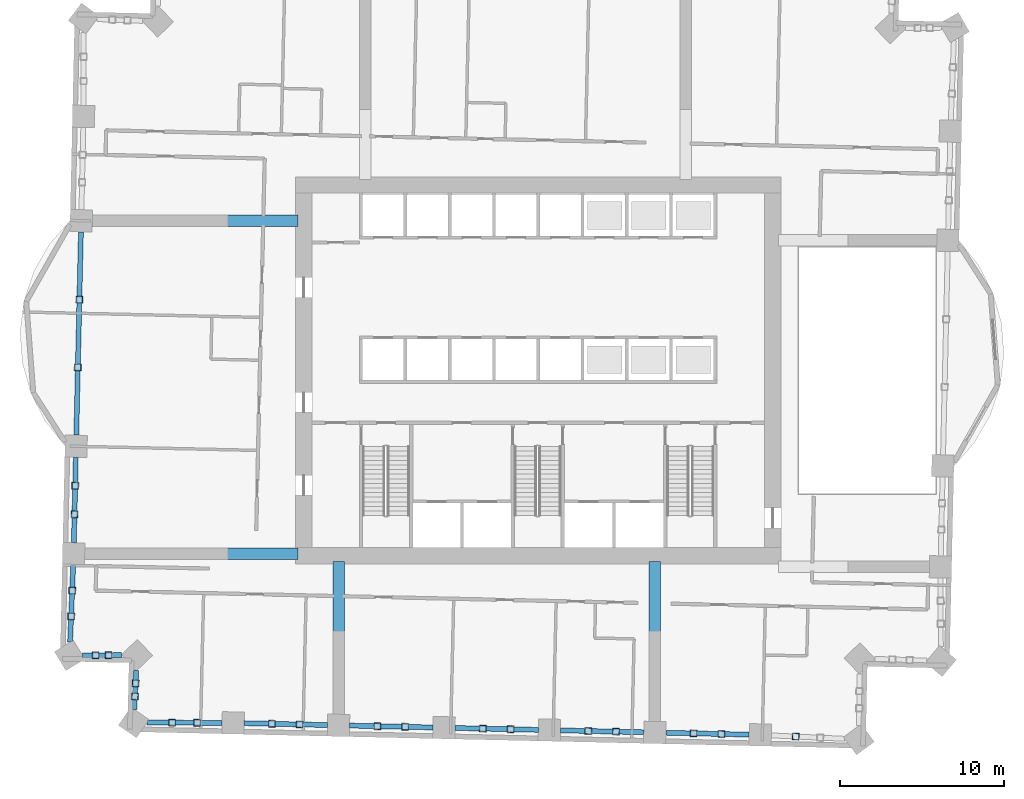
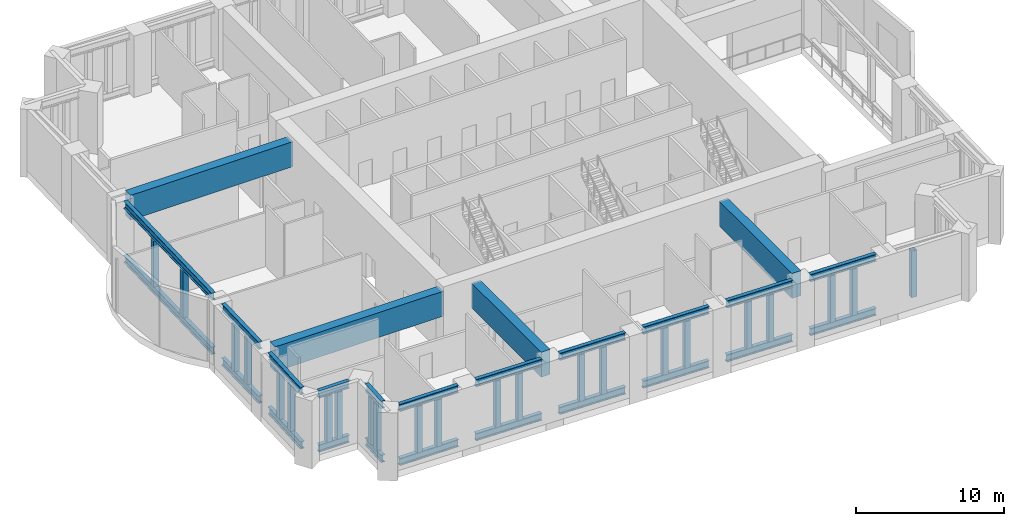
# One storey, part 2 of 13: 45 members, 4 beams.
"""IFC4 building model written with IfcOpenShell, lengths in metres."""

from ifc_helpers import new_model, si_unit, direction, frame, origin, origin_2d, place, context, subcontext, project, spatial, rectangle, hollow_rectangle, i_section, extrude, material, material_profile, profile_set, type_object, element, save


model = new_model("IFC4")

# Units and contexts
model_context = context("Model", 3, precision=1e-05, world=origin(), true_north=direction((0.0, 1.0)))
body_context = subcontext(model_context, "Body", "Model", "MODEL_VIEW")
ifc_project = project(units=[si_unit("LENGTHUNIT", "METRE"), si_unit("AREAUNIT", "SQUARE_METRE"), si_unit("VOLUMEUNIT", "CUBIC_METRE"), si_unit("PLANEANGLEUNIT", "RADIAN"), si_unit("MASSUNIT", "GRAM", prefix="KILO")], contexts=[model_context])

# Site, building, storey
site_placement = place(None, origin())
site = spatial("IfcSite", under=ifc_project, at=site_placement, CompositionType="ELEMENT")
building_placement = place(site_placement, origin())
building = spatial("IfcBuilding", under=site, at=building_placement, Name="Mangrove Gate Tower", CompositionType="ELEMENT")
storey_placement = place(building_placement, frame((0.0, 0.0, 119.89990234375)))
storey = spatial("IfcBuildingStorey", under=building, at=storey_placement, Name="L30", CompositionType="ELEMENT", Elevation=119.89990234375)

# Members
ifc_material_1 = material(Name="Steel S355J2", Category="steel")
ifc_material_profile_1 = material_profile(ifc_material_1, i_section(OverallWidth=0.300048828125, OverallDepth=0.60009765625, WebThickness=0.015380859375, FlangeThickness=0.030029296875, FilletRadius=0.027099609375, at=origin_2d()))
ifc_profile_set_1 = profile_set([ifc_material_profile_1], Name="Steel S355J2")
member_type_1 = type_object("IfcMemberType", Name="Belt truss chord HE 600 B", PredefinedType="CHORD", material=ifc_profile_set_1)
for number, where, z_axis, x_axis, name in (
    (1, (-28.193603515625, -5.299072265625, 0.300048828125), (-0.02267245742, -0.999742946799, 0.0), (0.999742946799, -0.02267245742, 0.0), "Belt truss bottom chord L30 00"),
    (2, (-28.193603515625, -5.299072265625, 4.75), (-0.02267245742, -0.999742946799, 0.0), (0.999742946799, -0.02267245742, 0.0), "Belt truss top chord L30 00"),
):
    element("IfcMember", number, at=place(storey_placement, frame(where, z_axis=z_axis, x_axis=x_axis)), inside=storey, type_object=member_type_1, Name=name, PredefinedType="CHORD", context=body_context, shape_type="SweptSolid", body=[
        extrude(i_section(OverallWidth=0.300048828125, OverallDepth=0.60009765625, WebThickness=0.015380859375, FlangeThickness=0.030029296875, FilletRadius=0.027099609375, at=origin_2d()), origin(), (0.0, 0.0, 1.0), 5.211669921875),
    ])
for number, where, z_axis, x_axis, name in (
    (3, (-28.35400390625, -11.85888671875, 0.300048828125), (-0.039877036275, -0.999204594654, 0.0), (0.999204594654, -0.039877036275, 0.0), "Belt truss bottom chord L30 01"),
    (4, (-28.35400390625, -11.85888671875, 4.75), (-0.039877036275, -0.999204594654, 0.0), (0.999204594654, -0.039877036275, 0.0), "Belt truss top chord L30 01"),
):
    element("IfcMember", number, at=place(storey_placement, frame(where, z_axis=z_axis, x_axis=x_axis)), inside=storey, type_object=member_type_1, Name=name, PredefinedType="CHORD", context=body_context, shape_type="SweptSolid", body=[
        extrude(i_section(OverallWidth=0.300048828125, OverallDepth=0.60009765625, WebThickness=0.015380859375, FlangeThickness=0.030029296875, FilletRadius=0.027099609375, at=origin_2d()), origin(), (0.0, 0.0, 1.0), 4.714111328125),
    ])
for number, where, z_axis, x_axis, name in (
    (5, (-27.78662109375, -17.375244140625, 0.300048828125), (0.999987507884, 0.004998407415, 0.0), (-0.004998407415, 0.999987507884, 0.0), "Belt truss bottom chord L30 02"),
    (6, (-27.78662109375, -17.375244140625, 4.75), (0.999987507884, 0.004998407415, 0.0), (-0.004998407415, 0.999987507884, 0.0), "Belt truss top chord L30 02"),
):
    element("IfcMember", number, at=place(storey_placement, frame(where, z_axis=z_axis, x_axis=x_axis)), inside=storey, type_object=member_type_1, Name=name, PredefinedType="CHORD", context=body_context, shape_type="SweptSolid", body=[
        extrude(i_section(OverallWidth=0.300048828125, OverallDepth=0.60009765625, WebThickness=0.015380859375, FlangeThickness=0.030029296875, FilletRadius=0.027099609375, at=origin_2d()), origin(), (0.0, 0.0, 1.0), 2.393310546875),
    ])
for number, where, z_axis, x_axis, name in (
    (7, (-24.509521484375, -18.2880859375, 0.300048828125), (-0.048928849018, -0.998802266584, 0.0), (0.998802266584, -0.048928849018, 0.0), "Belt truss bottom chord L30 03"),
    (8, (-24.509521484375, -18.2880859375, 4.75), (-0.048928849018, -0.998802266584, 0.0), (0.998802266584, -0.048928849018, 0.0), "Belt truss top chord L30 03"),
):
    element("IfcMember", number, at=place(storey_placement, frame(where, z_axis=z_axis, x_axis=x_axis)), inside=storey, type_object=member_type_1, Name=name, PredefinedType="CHORD", context=body_context, shape_type="SweptSolid", body=[
        extrude(i_section(OverallWidth=0.300048828125, OverallDepth=0.60009765625, WebThickness=0.015380859375, FlangeThickness=0.030029296875, FilletRadius=0.027099609375, at=origin_2d()), origin(), (0.0, 0.0, 1.0), 2.39013671875),
    ])
for number, where, z_axis, x_axis, name in (
    (9, (-23.84912109375, -21.47119140625, 0.300048828125), (0.99998944767, -0.004593968616, 0.0), (0.004593968616, 0.99998944767, 0.0), "Belt truss bottom chord L30 04"),
    (10, (-23.84912109375, -21.47119140625, 4.75), (0.99998944767, -0.004593968616, 0.0), (0.004593968616, 0.99998944767, 0.0), "Belt truss top chord L30 04"),
):
    element("IfcMember", number, at=place(storey_placement, frame(where, z_axis=z_axis, x_axis=x_axis)), inside=storey, type_object=member_type_1, Name=name, PredefinedType="CHORD", context=body_context, shape_type="SweptSolid", body=[
        extrude(i_section(OverallWidth=0.300048828125, OverallDepth=0.60009765625, WebThickness=0.015380859375, FlangeThickness=0.030029296875, FilletRadius=0.027099609375, at=origin_2d()), origin(), (0.0, 0.0, 1.0), 4.5703125),
    ])
for number, where, z_axis, x_axis, name in (
    (11, (-17.928955078125, -21.510498046875, 0.300048828125), (0.999742653716, -0.022685377268, 0.0), (0.022685377268, 0.999742653716, 0.0), "Belt truss bottom chord L30 05"),
    (12, (-17.928955078125, -21.510498046875, 4.75), (0.999742653716, -0.022685377268, 0.0), (0.022685377268, 0.999742653716, 0.0), "Belt truss top chord L30 05"),
):
    element("IfcMember", number, at=place(storey_placement, frame(where, z_axis=z_axis, x_axis=x_axis)), inside=storey, type_object=member_type_1, Name=name, PredefinedType="CHORD", context=body_context, shape_type="SweptSolid", body=[
        extrude(i_section(OverallWidth=0.300048828125, OverallDepth=0.60009765625, WebThickness=0.015380859375, FlangeThickness=0.030029296875, FilletRadius=0.027099609375, at=origin_2d()), origin(), (0.0, 0.0, 1.0), 5.07958984375),
    ])
for number, where, z_axis, x_axis, name in (
    (13, (-11.500732421875, -21.656494140625, 0.300048828125), (0.99974262898, -0.02268646735, 0.0), (0.02268646735, 0.99974262898, 0.0), "Belt truss bottom chord L30 06"),
    (14, (-11.500732421875, -21.656494140625, 4.75), (0.99974262898, -0.02268646735, 0.0), (0.02268646735, 0.99974262898, 0.0), "Belt truss top chord L30 06"),
):
    element("IfcMember", number, at=place(storey_placement, frame(where, z_axis=z_axis, x_axis=x_axis)), inside=storey, type_object=member_type_1, Name=name, PredefinedType="CHORD", context=body_context, shape_type="SweptSolid", body=[
        extrude(i_section(OverallWidth=0.300048828125, OverallDepth=0.60009765625, WebThickness=0.015380859375, FlangeThickness=0.030029296875, FilletRadius=0.027099609375, at=origin_2d()), origin(), (0.0, 0.0, 1.0), 5.079345703125),
    ])
for number, where, z_axis, x_axis, name in (
    (15, (-5.07275390625, -21.802490234375, 0.300048828125), (0.999741562533, -0.022733414695, 0.0), (0.022733414695, 0.999741562533, 0.0), "Belt truss bottom chord L30 07"),
    (16, (-5.07275390625, -21.802490234375, 4.75), (0.999741562533, -0.022733414695, 0.0), (0.022733414695, 0.999741562533, 0.0), "Belt truss top chord L30 07"),
):
    element("IfcMember", number, at=place(storey_placement, frame(where, z_axis=z_axis, x_axis=x_axis)), inside=storey, type_object=member_type_1, Name=name, PredefinedType="CHORD", context=body_context, shape_type="SweptSolid", body=[
        extrude(i_section(OverallWidth=0.300048828125, OverallDepth=0.60009765625, WebThickness=0.015380859375, FlangeThickness=0.030029296875, FilletRadius=0.027099609375, at=origin_2d()), origin(), (0.0, 0.0, 1.0), 5.07958984375),
    ])
for number, where, z_axis, x_axis, name in (
    (17, (1.355224609375, -21.948486328125, 0.300048828125), (0.999741537692, -0.022734507083, 0.0), (0.022734507083, 0.999741537692, 0.0), "Belt truss bottom chord L30 08"),
    (18, (1.355224609375, -21.948486328125, 4.75), (0.999741537692, -0.022734507083, 0.0), (0.022734507083, 0.999741537692, 0.0), "Belt truss top chord L30 08"),
    (19, (7.783203125, -22.094482421875, 0.300048828125), (0.999745889005, -0.022542347209, 0.0), (0.022542347209, 0.999745889005, 0.0), "Belt truss bottom chord L30 09"),
    (20, (7.783203125, -22.094482421875, 4.75), (0.999745889005, -0.022542347209, 0.0), (0.022542347209, 0.999745889005, 0.0), "Belt truss top chord L30 09"),
):
    element("IfcMember", number, at=place(storey_placement, frame(where, z_axis=z_axis, x_axis=x_axis)), inside=storey, type_object=member_type_1, Name=name, PredefinedType="CHORD", context=body_context, shape_type="SweptSolid", body=[
        extrude(i_section(OverallWidth=0.300048828125, OverallDepth=0.60009765625, WebThickness=0.015380859375, FlangeThickness=0.030029296875, FilletRadius=0.027099609375, at=origin_2d()), origin(), (0.0, 0.0, 1.0), 5.079345703125),
    ])
for number, where, z_axis, x_axis, name in (
    (21, (-27.881591796875, 8.44775390625, 0.300048828125), (-0.022680707756, -0.999742759662, 0.0), (0.999742759662, -0.022680707756, 0.0), "Belt truss bottom chord L30 31"),
    (22, (-27.881591796875, 8.44775390625, 4.75), (-0.022680707756, -0.999742759662, 0.0), (0.999742759662, -0.022680707756, 0.0), "Belt truss top chord L30 31"),
):
    element("IfcMember", number, at=place(storey_placement, frame(where, z_axis=z_axis, x_axis=x_axis)), inside=storey, type_object=member_type_1, Name=name, PredefinedType="CHORD", context=body_context, shape_type="SweptSolid", body=[
        extrude(i_section(OverallWidth=0.300048828125, OverallDepth=0.60009765625, WebThickness=0.015380859375, FlangeThickness=0.030029296875, FilletRadius=0.027099609375, at=origin_2d()), origin(), (0.0, 0.0, 1.0), 12.400390625),
    ])
ifc_material_2 = material(Name="Steel S355J2H", Category="steel")
ifc_material_profile_2 = material_profile(ifc_material_2, hollow_rectangle(XDim=0.39990234375, YDim=0.39990234375, WallThickness=0.01611328125, at=origin_2d()))
ifc_profile_set_2 = profile_set([ifc_material_profile_2], Name="Steel S355J2H")
member_type_2 = type_object("IfcMemberType", Name="Belt truss post SHS 400x400x16", PredefinedType="POST", material=ifc_profile_set_2)
for number, where, z_axis, x_axis, name in (
    (23, (-28.23291015625, -7.035888671875, 0.60009765625), (0.0, 0.0, 1.0), (-0.022707539279, -0.999742150587, 0.0), "Belt truss post L30 00-1"),
    (24, (-28.2724609375, -8.772705078125, 0.60009765625), (0.0, 0.0, 1.0), (-0.022707539279, -0.999742150587, 0.0), "Belt truss post L30 00-2"),
    (25, (-28.416748046875, -13.428955078125, 0.60009765625), (0.0, 0.0, 1.0), (-0.039870272437, -0.999204864568, 0.0), "Belt truss post L30 01-1"),
    (26, (-28.4794921875, -14.999267578125, 0.60009765625), (0.0, 0.0, 1.0), (-0.039870272437, -0.999204864568, 0.0), "Belt truss post L30 01-2"),
    (27, (-26.98876953125, -17.371337890625, 0.60009765625), (0.0, 0.0, 1.0), (0.99998755328, 0.004989317126, 0.0), "Belt truss post L30 02-1"),
    (28, (-26.191162109375, -17.3671875, 0.60009765625), (0.0, 0.0, 1.0), (0.99998755328, 0.004989317126, 0.0), "Belt truss post L30 02-2"),
    (29, (-24.548583984375, -19.083740234375, 0.60009765625), (0.0, 0.0, 1.0), (-0.048884913596, -0.998804417903, 0.0), "Belt truss post L30 03-1"),
    (30, (-24.58740234375, -19.879638671875, 0.60009765625), (0.0, 0.0, 1.0), (-0.048884913596, -0.998804417903, 0.0), "Belt truss post L30 03-2"),
    (31, (-22.32568359375, -21.47802734375, 0.60009765625), (0.0, 0.0, 1.0), (0.999989506276, -0.004581194009, 0.0), "Belt truss post L30 04-1"),
    (32, (-20.80224609375, -21.485107421875, 0.60009765625), (0.0, 0.0, 1.0), (0.999989506276, -0.004581194009, 0.0), "Belt truss post L30 04-2"),
    (33, (-16.236083984375, -21.548828125, 0.60009765625), (0.0, 0.0, 1.0), (0.999742156532, -0.022707277547, 0.0), "Belt truss post L30 05-1"),
    (34, (-14.543212890625, -21.58740234375, 0.60009765625), (0.0, 0.0, 1.0), (0.999742156532, -0.022707277547, 0.0), "Belt truss post L30 05-2"),
    (35, (-9.80810546875, -21.695068359375, 0.60009765625), (0.0, 0.0, 1.0), (0.999742156532, -0.022707277547, 0.0), "Belt truss post L30 06-1"),
    (36, (-8.115234375, -21.7333984375, 0.60009765625), (0.0, 0.0, 1.0), (0.999742156532, -0.022707277547, 0.0), "Belt truss post L30 06-2"),
    (37, (-3.380126953125, -21.841064453125, 0.60009765625), (0.0, 0.0, 1.0), (0.999742156532, -0.022707277547, 0.0), "Belt truss post L30 07-1"),
    (38, (-1.687255859375, -21.87939453125, 0.60009765625), (0.0, 0.0, 1.0), (0.999742156532, -0.022707277547, 0.0), "Belt truss post L30 07-2"),
    (39, (3.0478515625, -21.987060546875, 0.60009765625), (0.0, 0.0, 1.0), (0.999742156135, -0.022707294996, 0.0), "Belt truss post L30 08-1"),
    (40, (4.74072265625, -22.025390625, 0.60009765625), (0.0, 0.0, 1.0), (0.999742156135, -0.022707294996, 0.0), "Belt truss post L30 08-2"),
    (41, (9.475830078125, -22.132568359375, 0.60009765625), (0.0, 0.0, 1.0), (0.999745675232, -0.022551825982, 0.0), "Belt truss post L30 09-1"),
    (42, (11.168701171875, -22.170654296875, 0.60009765625), (0.0, 0.0, 1.0), (0.999745675232, -0.022551825982, 0.0), "Belt truss post L30 09-2"),
    (43, (15.699462890625, -22.324462890625, 0.60009765625), (0.0, 0.0, 1.0), (0.998926991833, -0.046312687105, 0.0), "Belt truss post L30 10-1"),
    (44, (-27.975341796875, 4.3154296875, 0.60009765625), (0.0, 0.0, 1.0), (-0.022690055586, -0.999742547548, 0.0), "Belt truss post L30 31-1"),
    (45, (-28.069091796875, 0.182861328125, 0.60009765625), (0.0, 0.0, 1.0), (-0.022690055586, -0.999742547548, 0.0), "Belt truss post L30 31-2"),
):
    element("IfcMember", number, at=place(storey_placement, frame(where, z_axis=z_axis, x_axis=x_axis)), inside=storey, type_object=member_type_2, Name=name, PredefinedType="POST", context=body_context, shape_type="SweptSolid", body=[
        extrude(hollow_rectangle(XDim=0.39990234375, YDim=0.39990234375, WallThickness=0.01611328125, at=origin_2d()), origin(), (0.0, 0.0, 1.0), 3.85009765625),
    ])

# Beams
ifc_material_3 = material(Name="Concrete C70/85", Category="concrete")
ifc_material_profile_3 = material_profile(ifc_material_3, rectangle(XDim=0.699951171875, YDim=2.050048828125, at=origin_2d()))
ifc_profile_set_3 = profile_set([ifc_material_profile_3], Name="Concrete C70/85")
beam_type = type_object("IfcBeamType", Name="Outrigger coupling beam RC 700x2050 C70/85", PredefinedType="BEAM", material=ifc_profile_set_3)
beam_1_placement = place(storey_placement, frame((-14.64990234375, 9.122802734375, 4.025146484375), z_axis=(-1.0, 0.0, 0.0), x_axis=(0.0, -1.0, 0.0)))
element("IfcBeam", 46, at=beam_1_placement, inside=storey, type_object=beam_type, Name="Outrigger coupling beam L30 OR2", PredefinedType="BEAM", context=body_context, shape_type="SweptSolid", body=[
    extrude(rectangle(XDim=0.699951171875, YDim=2.050048828125, at=origin_2d()), origin(), (0.0, 0.0, 1.0), 12.64111328125),
])
beam_2_placement = place(storey_placement, frame((7.108154296875, -11.64990234375, 4.025146484375), z_axis=(0.0, -1.0, 0.0), x_axis=(1.0, 0.0, 0.0)))
element("IfcBeam", 47, at=beam_2_placement, inside=storey, type_object=beam_type, Name="Outrigger coupling beam L30 OR4", PredefinedType="BEAM", context=body_context, shape_type="SweptSolid", body=[
    extrude(rectangle(XDim=0.699951171875, YDim=2.050048828125, at=origin_2d()), origin(), (0.0, 0.0, 1.0), 9.85400390625),
])
beam_3_placement = place(storey_placement, frame((-14.64990234375, -11.184326171875, 4.025146484375), z_axis=(-1.0, 0.0, 0.0), x_axis=(0.0, -1.0, 0.0)))
element("IfcBeam", 48, at=beam_3_placement, inside=storey, type_object=beam_type, Name="Outrigger coupling beam L30 OR6", PredefinedType="BEAM", context=body_context, shape_type="SweptSolid", body=[
    extrude(rectangle(XDim=0.699951171875, YDim=2.050048828125, at=origin_2d()), origin(), (0.0, 0.0, 1.0), 13.10205078125),
])
beam_4_placement = place(storey_placement, frame((-12.17578125, -11.64990234375, 4.025146484375), z_axis=(0.0, -1.0, 0.0), x_axis=(1.0, 0.0, 0.0)))
element("IfcBeam", 49, at=beam_4_placement, inside=storey, type_object=beam_type, Name="Outrigger coupling beam L30 OR8", PredefinedType="BEAM", context=body_context, shape_type="SweptSolid", body=[
    extrude(rectangle(XDim=0.699951171875, YDim=2.050048828125, at=origin_2d()), origin(), (0.0, 0.0, 1.0), 9.416015625),
])

save(model, "model.ifc")
